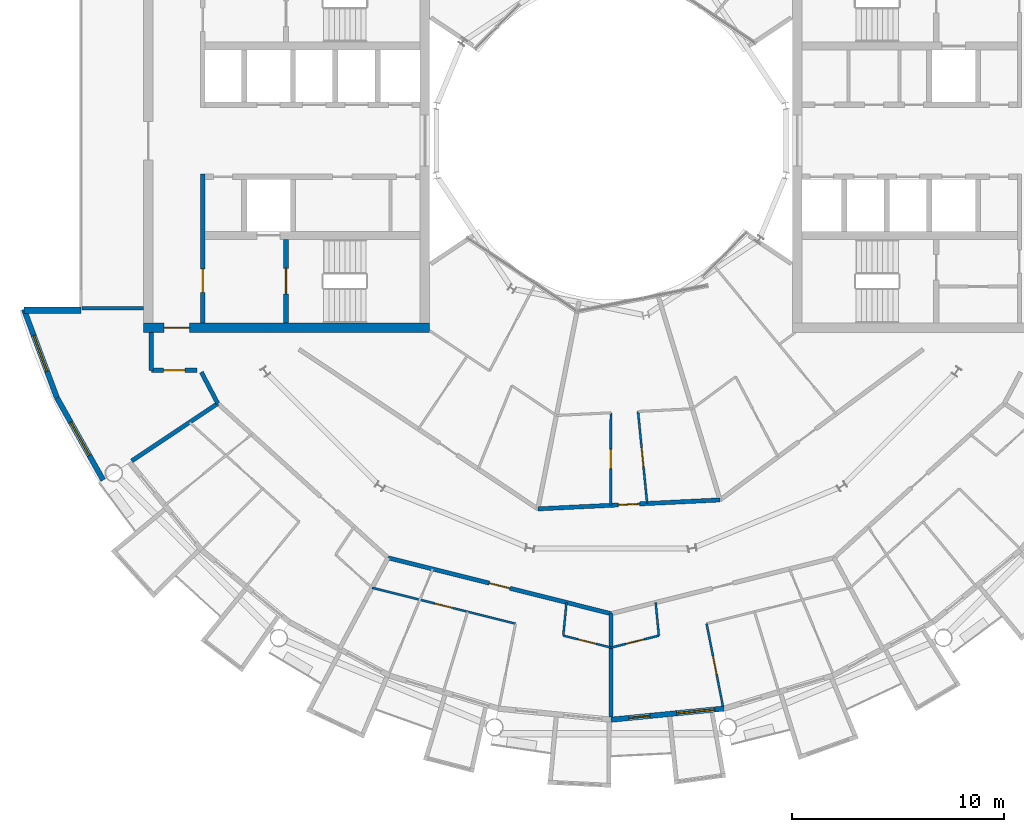
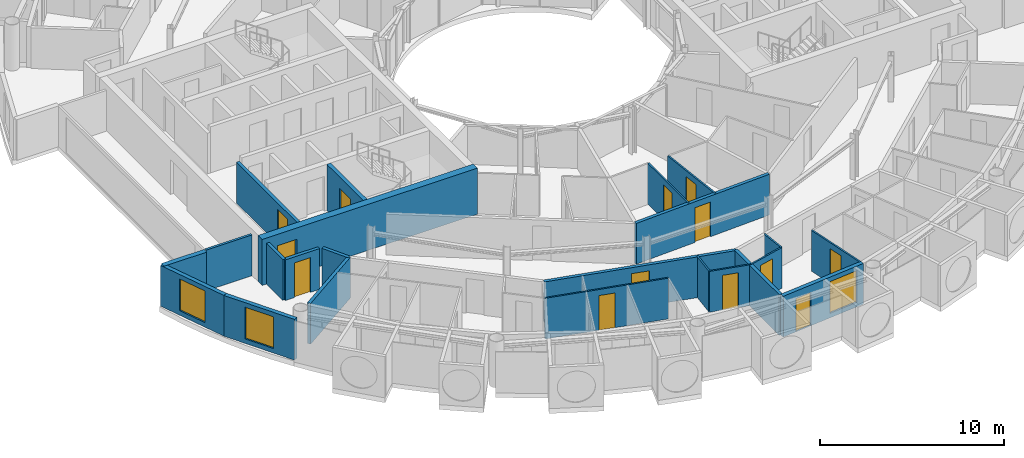
# One storey, part 16 of 29: 23 walls, 13 doors, 3 windows, 16 openings.
"""IFC4 building model written with IfcOpenShell, lengths in metres."""

from ifc_helpers import new_model, si_unit, direction, frame, frame_2d, origin, place, context, subcontext, project, spatial, rectangle, extrude, material, layer, layer_set, type_object, element, fill, save


model = new_model("IFC4")

# Units and contexts
model_context = context("Model", 3, precision=1e-05, world=origin(), true_north=direction((0.0, 1.0)))
body_context = subcontext(model_context, "Body", "Model", "MODEL_VIEW")
ifc_project = project(units=[si_unit("LENGTHUNIT", "METRE"), si_unit("AREAUNIT", "SQUARE_METRE"), si_unit("VOLUMEUNIT", "CUBIC_METRE"), si_unit("PLANEANGLEUNIT", "RADIAN"), si_unit("MASSUNIT", "GRAM", prefix="KILO")], contexts=[model_context])

# Site, building, storey
site_placement = place(None, origin())
site = spatial("IfcSite", under=ifc_project, at=site_placement, CompositionType="ELEMENT")
building_placement = place(site_placement, origin())
building = spatial("IfcBuilding", under=site, at=building_placement, Name="Maasbend Ring Residences", CompositionType="ELEMENT")
storey_placement = place(building_placement, frame((0.0, 0.0, 190.199951171875)))
storey = spatial("IfcBuildingStorey", under=building, at=storey_placement, Name="L54", CompositionType="ELEMENT", Elevation=190.199951171875)

# Wall, opening, door
ifc_material_1 = material(Name="Concrete C50/60", Category="concrete")
ifc_layer_1 = layer(ifc_material_1, 0.25)
ifc_layer_set_1 = layer_set([ifc_layer_1], Name="Concrete C50/60")
wall_type_1 = type_object("IfcWallType", Name="CORE WALL 250 C50/60", PredefinedType="SHEAR", material=ifc_layer_set_1)
wall_1_placement = place(storey_placement, frame((-15.324951171875, -4.64990234375, 0.0), z_axis=(0.0, 0.0, 1.0), x_axis=(0.0, -1.0, 0.0)))
wall_1 = element("IfcWall", 1, at=wall_1_placement, inside=storey, type_object=wall_type_1, Name="L54 core W wall STEN", PredefinedType="SHEAR", context=body_context, shape_type="SweptSolid", body=[
    extrude(rectangle(XDim=3.9501953125, YDim=0.25, at=frame_2d((1.97509765625, 0.0))), origin(), (0.0, 0.0, 1.0), 3.050048828125),
])
opening_1_placement = place(wall_1_placement, frame((1.375, 0.0, 0.0)))
opening_1 = element("IfcOpeningElement", 2, at=opening_1_placement, cuts=wall_1, Name="Opening D-W5410", PredefinedType="OPENING", context=body_context, shape_type="SweptSolid", body=[
    extrude(rectangle(XDim=1.199951171875, YDim=2.300048828125, at=frame_2d((0.60009765625, 1.14990234375))), frame((0.0, 0.135009765625, 0.0), z_axis=(0.0, -1.0, 0.0), x_axis=(1.0, 0.0, 0.0)), (0.0, 0.0, 1.0), 0.27001953125),
])
ifc_material_2 = material(Name="Steel, powder coated", Category="steel")
door_type_1 = type_object("IfcDoorType", Name="STAIR DOOR 1200 X 2300 FD60", OperationType="NOTDEFINED", PredefinedType="DOOR", material=ifc_material_2)
door_1_placement = place(opening_1_placement, origin())
door_1 = element("IfcDoor", 3, at=door_1_placement, inside=storey, type_object=door_type_1, Name="Stair door ST-W L54", OperationType="SINGLE_SWING_LEFT", OverallHeight=2.300048828125, OverallWidth=1.199951171875, PredefinedType="DOOR", context=body_context, shape_type="SweptSolid", body=[
    extrude(rectangle(XDim=1.199951171875, YDim=2.300048828125, at=frame_2d((0.60009765625, 1.14990234375))), frame((0.0, 0.02490234375, 0.0), z_axis=(0.0, -1.0, 0.0), x_axis=(1.0, 0.0, 0.0)), (0.0, 0.0, 1.0), 0.050048828125),
])
fill(opening_1, door_1)

ifc_material_3 = material(Name="Concrete C50/60", Category="concrete")
ifc_layer_2 = layer(ifc_material_3, 0.449951171875)
ifc_layer_set_2 = layer_set([ifc_layer_2], Name="Concrete C50/60")
wall_type_2 = type_object("IfcWallType", Name="CORE WALL 450 C50/60", PredefinedType="SHEAR", material=ifc_layer_set_2)
wall_2_placement = place(storey_placement, frame((-22.050048828125, -8.824951171875, 0.0), z_axis=(0.0, 0.0, 1.0), x_axis=(1.0, 0.0, 0.0)))
wall_2 = element("IfcWall", 4, at=wall_2_placement, inside=storey, type_object=wall_type_2, Name="L54 core W wall PN", PredefinedType="SHEAR", context=body_context, shape_type="SweptSolid", body=[
    extrude(rectangle(XDim=13.5, YDim=0.449951171875, at=frame_2d((6.75, 0.0))), origin(), (0.0, 0.0, 1.0), 3.050048828125),
])
opening_2_placement = place(wall_2_placement, frame((0.97509765625, 0.0, 0.0)))
opening_2 = element("IfcOpeningElement", 5, at=opening_2_placement, cuts=wall_2, Name="Opening D-W5414", PredefinedType="OPENING", context=body_context, shape_type="SweptSolid", body=[
    extrude(rectangle(XDim=1.199951171875, YDim=2.300048828125, at=frame_2d((0.60009765625, 1.14990234375))), frame((0.0, 0.23486328125, 0.0), z_axis=(0.0, -1.0, 0.0), x_axis=(1.0, 0.0, 0.0)), (0.0, 0.0, 1.0), 0.469970703125),
])
ifc_material_4 = material(Name="Steel, powder coated", Category="steel")
door_type_2 = type_object("IfcDoorType", Name="CORRIDOR DOOR 1200 X 2300 FD30S", OperationType="NOTDEFINED", PredefinedType="DOOR", material=ifc_material_4)
door_2_placement = place(opening_2_placement, origin())
door_2 = element("IfcDoor", 6, at=door_2_placement, inside=storey, type_object=door_type_2, Name="Corridor door L54", OperationType="SINGLE_SWING_RIGHT", OverallHeight=2.300048828125, OverallWidth=1.199951171875, PredefinedType="DOOR", context=body_context, shape_type="SweptSolid", body=[
    extrude(rectangle(XDim=1.199951171875, YDim=2.300048828125, at=frame_2d((0.60009765625, 1.14990234375))), frame((0.0, 0.02490234375, 0.0), z_axis=(0.0, -1.0, 0.0), x_axis=(1.0, 0.0, 0.0)), (0.0, 0.0, 1.0), 0.050048828125),
])
fill(opening_2, door_2)

# Wall
ifc_material_5 = material(Name="Concrete C30/37", Category="concrete")
ifc_layer_3 = layer(ifc_material_5, 0.199951171875)
ifc_layer_set_3 = layer_set([ifc_layer_3], Name="Concrete C30/37")
wall_type_3 = type_object("IfcWallType", Name="CORRIDOR WALL 200 CONCRETE", PredefinedType="PARTITIONING", material=ifc_layer_set_3)
wall_3_placement = place(storey_placement, frame((-19.31689453125, -10.9150390625, 0.0), z_axis=(0.0, 0.0, 1.0), x_axis=(0.465359652486, -0.885121683068, 0.0)))
element("IfcWall", 7, at=wall_3_placement, inside=storey, type_object=wall_type_3, Name="U-L54-w009", PredefinedType="PARTITIONING", context=body_context, shape_type="SweptSolid", body=[
    extrude(rectangle(XDim=1.665283203125, YDim=0.199951171875, at=frame_2d((0.83251953125, 0.0))), origin(), (0.0, 0.0, 1.0), 2.699951171875),
])

# Wall, opening, door
wall_4_placement = place(storey_placement, frame((-10.51708984375, -19.6650390625, 0.0), z_axis=(0.0, 0.0, 1.0), x_axis=(0.970023226325, -0.243012222716, 0.0)))
wall_4 = element("IfcWall", 8, at=wall_4_placement, inside=storey, type_object=wall_type_3, Name="U-L54-w014", PredefinedType="PARTITIONING", context=body_context, shape_type="SweptSolid", body=[
    extrude(rectangle(XDim=10.84716796875, YDim=0.199951171875, at=frame_2d((5.423583984375, 0.0))), origin(), (0.0, 0.0, 1.0), 2.699951171875),
])
opening_3_placement = place(wall_4_placement, frame((4.924072265625, 0.0, 0.0)))
opening_3 = element("IfcOpeningElement", 9, at=opening_3_placement, cuts=wall_4, Name="Opening D-5442", PredefinedType="OPENING", context=body_context, shape_type="SweptSolid", body=[
    extrude(rectangle(XDim=1.0, YDim=2.300048828125, at=frame_2d((0.5, 1.14990234375))), frame((0.0, 0.10986328125, 0.0), z_axis=(0.0, -1.0, 0.0), x_axis=(1.0, 0.0, 0.0)), (0.0, 0.0, 1.0), 0.219970703125),
])
ifc_material_6 = material(Name="Timber, fire-rated, painted", Category="wood")
door_type_3 = type_object("IfcDoorType", Name="FLAT ENTRANCE DOOR 1000 X 2300 FIRE-RATED", OperationType="NOTDEFINED", PredefinedType="DOOR", material=ifc_material_6)
door_3_placement = place(opening_3_placement, origin())
door_3 = element("IfcDoor", 10, at=door_3_placement, inside=storey, type_object=door_type_3, Name="D-5442", OperationType="SINGLE_SWING_RIGHT", OverallHeight=2.300048828125, OverallWidth=1.0, PredefinedType="DOOR", context=body_context, shape_type="SweptSolid", body=[
    extrude(rectangle(XDim=1.0, YDim=2.300048828125, at=frame_2d((0.5, 1.14990234375))), frame((0.0, 0.02490234375, 0.0), z_axis=(0.0, -1.0, 0.0), x_axis=(1.0, 0.0, 0.0)), (0.0, 0.0, 1.0), 0.050048828125),
])
fill(opening_3, door_3)

wall_5_placement = place(storey_placement, frame((-3.452880859375, -17.361083984375, 0.0), z_axis=(0.0, 0.0, 1.0), x_axis=(0.998789433108, 0.049190124121, 0.0)))
wall_5 = element("IfcWall", 11, at=wall_5_placement, inside=storey, type_object=wall_type_3, Name="U-L54-w017", PredefinedType="PARTITIONING", context=body_context, shape_type="SweptSolid", body=[
    extrude(rectangle(XDim=8.601318359375, YDim=0.199951171875, at=frame_2d((4.30078125, 0.0))), origin(), (0.0, 0.0, 1.0), 2.699951171875),
])
opening_4_placement = place(wall_5_placement, frame((3.802978515625, 0.0, 0.0)))
opening_4 = element("IfcOpeningElement", 12, at=opening_4_placement, cuts=wall_5, Name="Opening D-5464", PredefinedType="OPENING", context=body_context, shape_type="SweptSolid", body=[
    extrude(rectangle(XDim=1.0, YDim=2.300048828125, at=frame_2d((0.5, 1.14990234375))), frame((0.0, 0.10986328125, 0.0), z_axis=(0.0, -1.0, 0.0), x_axis=(1.0, 0.0, 0.0)), (0.0, 0.0, 1.0), 0.219970703125),
])
door_4_placement = place(opening_4_placement, origin())
door_4 = element("IfcDoor", 13, at=door_4_placement, inside=storey, type_object=door_type_3, Name="D-5464", OperationType="SINGLE_SWING_RIGHT", OverallHeight=2.300048828125, OverallWidth=1.0, PredefinedType="DOOR", context=body_context, shape_type="SweptSolid", body=[
    extrude(rectangle(XDim=1.0, YDim=2.300048828125, at=frame_2d((0.5, 1.14990234375))), frame((0.0, 0.02490234375, 0.0), z_axis=(0.0, -1.0, 0.0), x_axis=(1.0, 0.0, 0.0)), (0.0, 0.0, 1.0), 0.050048828125),
])
fill(opening_4, door_4)

wall_6_placement = place(storey_placement, frame((-21.675048828125, -10.824951171875, 0.0), z_axis=(0.0, 0.0, 1.0), x_axis=(1.0, 0.0, 0.0)))
wall_6 = element("IfcWall", 14, at=wall_6_placement, inside=storey, type_object=wall_type_3, Name="U-L54-w026", PredefinedType="PARTITIONING", context=body_context, shape_type="SweptSolid", body=[
    extrude(rectangle(XDim=2.152099609375, YDim=0.199951171875, at=frame_2d((1.076171875, 0.0))), origin(), (0.0, 0.0, 1.0), 2.699951171875),
])
opening_5_placement = place(wall_6_placement, frame((0.575927734375, 0.0, 0.0)))
opening_5 = element("IfcOpeningElement", 15, at=opening_5_placement, cuts=wall_6, Name="Opening D-5471", PredefinedType="OPENING", context=body_context, shape_type="SweptSolid", body=[
    extrude(rectangle(XDim=1.0, YDim=2.300048828125, at=frame_2d((0.5, 1.14990234375))), frame((0.0, 0.10986328125, 0.0), z_axis=(0.0, -1.0, 0.0), x_axis=(1.0, 0.0, 0.0)), (0.0, 0.0, 1.0), 0.219970703125),
])
ifc_material_7 = material(Name="Timber, painted", Category="wood")
door_type_4 = type_object("IfcDoorType", Name="ROOM DOOR 1000 X 2300", OperationType="NOTDEFINED", PredefinedType="DOOR", material=ifc_material_7)
door_5_placement = place(opening_5_placement, origin())
door_5 = element("IfcDoor", 16, at=door_5_placement, inside=storey, type_object=door_type_4, Name="D-5471", OperationType="SINGLE_SWING_LEFT", OverallHeight=2.300048828125, OverallWidth=1.0, PredefinedType="DOOR", context=body_context, shape_type="SweptSolid", body=[
    extrude(rectangle(XDim=1.0, YDim=2.300048828125, at=frame_2d((0.5, 1.14990234375))), frame((0.0, 0.02490234375, 0.0), z_axis=(0.0, -1.0, 0.0), x_axis=(1.0, 0.0, 0.0)), (0.0, 0.0, 1.0), 0.050048828125),
])
fill(opening_5, door_5)

# Wall
wall_7_placement = place(storey_placement, frame((-21.675048828125, -10.824951171875, 0.0), z_axis=(0.0, 0.0, 1.0), x_axis=(0.0, 1.0, 0.0)))
element("IfcWall", 17, at=wall_7_placement, inside=storey, type_object=wall_type_3, Name="U-L54-w108", PredefinedType="PARTITIONING", context=body_context, shape_type="SweptSolid", body=[
    extrude(rectangle(XDim=1.77490234375, YDim=0.199951171875, at=frame_2d((0.887451171875, 0.0))), origin(), (0.0, 0.0, 1.0), 2.699951171875),
])

# Wall, openings, door, window
ifc_material_8 = material(Name="Aluminium clad insulated panel", Category="aluminium")
ifc_layer_4 = layer(ifc_material_8, 0.25)
ifc_layer_set_4 = layer_set([ifc_layer_4], Name="EW-GL")
wall_type_4 = type_object("IfcWallType", Name="EW-GL", PredefinedType="SOLIDWALL", material=ifc_layer_set_4)
wall_8_placement = place(storey_placement, frame((0.0, -27.300048828125, 0.0), z_axis=(0.0, 0.0, 1.0), x_axis=(0.995173996315, 0.098126026407, 0.0)))
wall_8 = element("IfcWall", 18, at=wall_8_placement, inside=storey, type_object=wall_type_4, Name="External wall S06", PredefinedType="SOLIDWALL", context=body_context, shape_type="SweptSolid", body=[
    extrude(rectangle(XDim=5.351806640625, YDim=0.25, at=frame_2d((2.67578125, 0.0))), origin(), (0.0, 0.0, 1.0), 2.699951171875),
])
opening_6_placement = place(wall_8_placement, frame((0.841064453125, 0.0, 0.0)))
opening_6 = element("IfcOpeningElement", 19, at=opening_6_placement, cuts=wall_8, Name="Opening D-LG", PredefinedType="OPENING", context=body_context, shape_type="SweptSolid", body=[
    extrude(rectangle(XDim=1.0, YDim=2.199951171875, at=frame_2d((0.5, 1.10009765625))), frame((0.0, 0.135009765625, 0.0), z_axis=(0.0, -1.0, 0.0), x_axis=(1.0, 0.0, 0.0)), (0.0, 0.0, 1.0), 0.27001953125),
])
opening_7_placement = place(wall_8_placement, frame((3.110595703125, 0.0, 0.300048828125)))
opening_7 = element("IfcOpeningElement", 20, at=opening_7_placement, cuts=wall_8, Name="Opening W-BX", PredefinedType="OPENING", context=body_context, shape_type="SweptSolid", body=[
    extrude(rectangle(XDim=1.800048828125, YDim=2.10009765625, at=frame_2d((0.89990234375, 1.050048828125))), frame((0.0, 0.135009765625, 0.0), z_axis=(0.0, -1.0, 0.0), x_axis=(1.0, 0.0, 0.0)), (0.0, 0.0, 1.0), 0.27001953125),
])
ifc_material_9 = material(Name="Aluminium and clear glass", Category="aluminium")
door_type_5 = type_object("IfcDoorType", Name="D-LG", OperationType="SINGLE_SWING_LEFT", PredefinedType="DOOR", material=ifc_material_9)
door_6_placement = place(opening_6_placement, origin())
door_6 = element("IfcDoor", 21, at=door_6_placement, inside=storey, type_object=door_type_5, Name="Loggia door S11", OperationType="SINGLE_SWING_LEFT", OverallHeight=2.199951171875, OverallWidth=1.0, PredefinedType="DOOR", context=body_context, shape_type="SweptSolid", body=[
    extrude(rectangle(XDim=1.0, YDim=2.199951171875, at=frame_2d((0.5, 1.10009765625))), frame((0.0, 0.02490234375, 0.0), z_axis=(0.0, -1.0, 0.0), x_axis=(1.0, 0.0, 0.0)), (0.0, 0.0, 1.0), 0.050048828125),
])
fill(opening_6, door_6)
ifc_material_10 = material(Name="Aluminium and clear glass", Category="aluminium")
window_type = type_object("IfcWindowType", Name="W-BX", PartitioningType="DOUBLE_PANEL_VERTICAL", PredefinedType="WINDOW", material=ifc_material_10)
window_1_placement = place(opening_7_placement, origin())
window_1 = element("IfcWindow", 22, at=window_1_placement, inside=storey, type_object=window_type, Name="Window S12 room to box", OverallHeight=2.10009765625, OverallWidth=1.800048828125, PartitioningType="SINGLE_PANEL", PredefinedType="WINDOW", context=body_context, shape_type="SweptSolid", body=[
    extrude(rectangle(XDim=1.800048828125, YDim=2.10009765625, at=frame_2d((0.89990234375, 1.050048828125))), frame((0.0, 0.030029296875, 0.0), z_axis=(0.0, -1.0, 0.0), x_axis=(1.0, 0.0, 0.0)), (0.0, 0.0, 1.0), 0.06005859375),
])
fill(opening_7, window_1)

# Wall, opening, window
ifc_material_11 = material(Name="Aluminium clad insulated panel", Category="aluminium")
ifc_layer_5 = layer(ifc_material_11, 0.25)
ifc_layer_set_5 = layer_set([ifc_layer_5], Name="EW-HORN")
wall_type_5 = type_object("IfcWallType", Name="EW-HORN", PredefinedType="SOLIDWALL", material=ifc_layer_set_5)
wall_9_placement = place(storey_placement, frame((-27.681884765625, -7.945068359375, 0.0), z_axis=(0.0, 0.0, 1.0), x_axis=(0.349247811493, -0.937030397675, 0.0)))
wall_9 = element("IfcWall", 23, at=wall_9_placement, inside=storey, type_object=wall_type_5, Name="Horn wall 3.1", PredefinedType="SOLIDWALL", context=body_context, shape_type="SweptSolid", body=[
    extrude(rectangle(XDim=4.4521484375, YDim=0.25, at=frame_2d((2.22607421875, 0.0))), origin(), (0.0, 0.0, 1.0), 2.699951171875),
])
opening_8_placement = place(wall_9_placement, frame((1.32666015625, 0.0, 0.300048828125)))
opening_8 = element("IfcOpeningElement", 24, at=opening_8_placement, cuts=wall_9, Name="Opening W-BX", PredefinedType="OPENING", context=body_context, shape_type="SweptSolid", body=[
    extrude(rectangle(XDim=1.800048828125, YDim=2.10009765625, at=frame_2d((0.89990234375, 1.050048828125))), frame((0.0, 0.135009765625, 0.0), z_axis=(0.0, -1.0, 0.0), x_axis=(1.0, 0.0, 0.0)), (0.0, 0.0, 1.0), 0.27001953125),
])
window_2_placement = place(opening_8_placement, origin())
window_2 = element("IfcWindow", 25, at=window_2_placement, inside=storey, type_object=window_type, Name="Horn window 3.1", OverallHeight=2.10009765625, OverallWidth=1.800048828125, PartitioningType="SINGLE_PANEL", PredefinedType="WINDOW", context=body_context, shape_type="SweptSolid", body=[
    extrude(rectangle(XDim=1.800048828125, YDim=2.10009765625, at=frame_2d((0.89990234375, 1.050048828125))), frame((0.0, 0.030029296875, 0.0), z_axis=(0.0, -1.0, 0.0), x_axis=(1.0, 0.0, 0.0)), (0.0, 0.0, 1.0), 0.06005859375),
])
fill(opening_8, window_2)

wall_10_placement = place(storey_placement, frame((-26.126953125, -12.116943359375, 0.0), z_axis=(0.0, 0.0, 1.0), x_axis=(0.489696356642, -0.871893042919, 0.0)))
wall_10 = element("IfcWall", 26, at=wall_10_placement, inside=storey, type_object=wall_type_5, Name="Horn wall 3.2", PredefinedType="SOLIDWALL", context=body_context, shape_type="SweptSolid", body=[
    extrude(rectangle(XDim=4.45361328125, YDim=0.25, at=frame_2d((2.226806640625, 0.0))), origin(), (0.0, 0.0, 1.0), 2.699951171875),
])
opening_9_placement = place(wall_10_placement, frame((1.32666015625, 0.0, 0.300048828125)))
opening_9 = element("IfcOpeningElement", 27, at=opening_9_placement, cuts=wall_10, Name="Opening W-BX", PredefinedType="OPENING", context=body_context, shape_type="SweptSolid", body=[
    extrude(rectangle(XDim=1.800048828125, YDim=2.10009765625, at=frame_2d((0.89990234375, 1.050048828125))), frame((0.0, 0.135009765625, 0.0), z_axis=(0.0, -1.0, 0.0), x_axis=(1.0, 0.0, 0.0)), (0.0, 0.0, 1.0), 0.27001953125),
])
window_3_placement = place(opening_9_placement, origin())
window_3 = element("IfcWindow", 28, at=window_3_placement, inside=storey, type_object=window_type, Name="Horn window 3.2", OverallHeight=2.10009765625, OverallWidth=1.800048828125, PartitioningType="SINGLE_PANEL", PredefinedType="WINDOW", context=body_context, shape_type="SweptSolid", body=[
    extrude(rectangle(XDim=1.800048828125, YDim=2.10009765625, at=frame_2d((0.89990234375, 1.050048828125))), frame((0.0, 0.030029296875, 0.0), z_axis=(0.0, -1.0, 0.0), x_axis=(1.0, 0.0, 0.0)), (0.0, 0.0, 1.0), 0.06005859375),
])
fill(opening_9, window_3)

# Wall
ifc_material_12 = material(Name="Aluminium clad insulated panel", Category="aluminium")
ifc_layer_6 = layer(ifc_material_12, 0.300048828125)
ifc_layer_set_6 = layer_set([ifc_layer_6], Name="EW-RET")
wall_type_6 = type_object("IfcWallType", Name="EW-RET", PredefinedType="SOLIDWALL", material=ifc_layer_set_6)
wall_11_placement = place(storey_placement, frame((-25.0, -8.0, 0.0), z_axis=(0.0, 0.0, 1.0), x_axis=(-1.0, 0.0, 0.0)))
element("IfcWall", 29, at=wall_11_placement, inside=storey, type_object=wall_type_6, Name="Notch return wall west south", PredefinedType="SOLIDWALL", context=body_context, shape_type="SweptSolid", body=[
    extrude(rectangle(XDim=2.6669921875, YDim=0.300048828125, at=frame_2d((1.33349609375, 0.0))), origin(), (0.0, 0.0, 1.0), 2.699951171875),
])

# Wall, opening, door
ifc_material_13 = material(Name="Gypsum board on steel studs", Category="steel")
ifc_layer_7 = layer(ifc_material_13, 0.10009765625)
ifc_layer_set_7 = layer_set([ifc_layer_7], Name="PARTITION 100 GYPSUM")
wall_type_7 = type_object("IfcWallType", Name="PARTITION 100 GYPSUM", PredefinedType="PARTITIONING", material=ifc_layer_set_7)
wall_12_placement = place(storey_placement, frame((-11.26611328125, -21.080078125, 0.0), z_axis=(0.0, 0.0, 1.0), x_axis=(0.970080680347, -0.24278277043, 0.0)))
wall_12 = element("IfcWall", 30, at=wall_12_placement, inside=storey, type_object=wall_type_7, Name="U-L54-w003", PredefinedType="PARTITIONING", context=body_context, shape_type="SweptSolid", body=[
    extrude(rectangle(XDim=6.972900390625, YDim=0.10009765625, at=frame_2d((3.486328125, 0.0))), origin(), (0.0, 0.0, 1.0), 2.699951171875),
])
opening_10_placement = place(wall_12_placement, frame((3.035888671875, 0.0, 0.0)))
opening_10 = element("IfcOpeningElement", 31, at=opening_10_placement, cuts=wall_12, Name="Opening D-5446", PredefinedType="OPENING", context=body_context, shape_type="SweptSolid", body=[
    extrude(rectangle(XDim=0.89990234375, YDim=2.300048828125, at=frame_2d((0.449951171875, 1.14990234375))), frame((0.0, 0.06005859375, 0.0), z_axis=(0.0, -1.0, 0.0), x_axis=(1.0, 0.0, 0.0)), (0.0, 0.0, 1.0), 0.1201171875),
])
ifc_material_14 = material(Name="Timber, painted", Category="wood")
door_type_6 = type_object("IfcDoorType", Name="INTERNAL DOOR 900 X 2300", OperationType="NOTDEFINED", PredefinedType="DOOR", material=ifc_material_14)
door_7_placement = place(opening_10_placement, origin())
door_7 = element("IfcDoor", 32, at=door_7_placement, inside=storey, type_object=door_type_6, Name="D-5446", OperationType="SINGLE_SWING_LEFT", OverallHeight=2.300048828125, OverallWidth=0.89990234375, PredefinedType="DOOR", context=body_context, shape_type="SweptSolid", body=[
    extrude(rectangle(XDim=0.89990234375, YDim=2.300048828125, at=frame_2d((0.449951171875, 1.14990234375))), frame((0.0, 0.02490234375, 0.0), z_axis=(0.0, -1.0, 0.0), x_axis=(1.0, 0.0, 0.0)), (0.0, 0.0, 1.0), 0.050048828125),
])
fill(opening_10, door_7)

wall_13_placement = place(storey_placement, frame((-2.2529296875, -23.3359375, 0.0), z_axis=(0.0, 0.0, 1.0), x_axis=(0.970068250789, -0.242832429489, 0.0)))
wall_13 = element("IfcWall", 33, at=wall_13_placement, inside=storey, type_object=wall_type_7, Name="U-L54-w004", PredefinedType="PARTITIONING", context=body_context, shape_type="SweptSolid", body=[
    extrude(rectangle(XDim=2.322509765625, YDim=0.10009765625, at=frame_2d((1.1611328125, 0.0))), origin(), (0.0, 0.0, 1.0), 2.699951171875),
])
opening_11_placement = place(wall_13_placement, frame((0.7109375, 0.0, 0.0)))
opening_11 = element("IfcOpeningElement", 34, at=opening_11_placement, cuts=wall_13, Name="Opening D-5443", PredefinedType="OPENING", context=body_context, shape_type="SweptSolid", body=[
    extrude(rectangle(XDim=0.89990234375, YDim=2.300048828125, at=frame_2d((0.449951171875, 1.14990234375))), frame((0.0, 0.06005859375, 0.0), z_axis=(0.0, -1.0, 0.0), x_axis=(1.0, 0.0, 0.0)), (0.0, 0.0, 1.0), 0.1201171875),
])
door_8_placement = place(opening_11_placement, origin())
door_8 = element("IfcDoor", 35, at=door_8_placement, inside=storey, type_object=door_type_6, Name="D-5443", OperationType="SINGLE_SWING_RIGHT", OverallHeight=2.300048828125, OverallWidth=0.89990234375, PredefinedType="DOOR", context=body_context, shape_type="SweptSolid", body=[
    extrude(rectangle(XDim=0.89990234375, YDim=2.300048828125, at=frame_2d((0.449951171875, 1.14990234375))), frame((0.0, 0.02490234375, 0.0), z_axis=(0.0, -1.0, 0.0), x_axis=(1.0, 0.0, 0.0)), (0.0, 0.0, 1.0), 0.050048828125),
])
fill(opening_11, door_8)

wall_14_placement = place(storey_placement, frame((0.0, -23.89990234375, 0.0), z_axis=(0.0, 0.0, 1.0), x_axis=(0.970068250789, 0.242832429489, 0.0)))
wall_14 = element("IfcWall", 36, at=wall_14_placement, inside=storey, type_object=wall_type_7, Name="U-L54-w005", PredefinedType="PARTITIONING", context=body_context, shape_type="SweptSolid", body=[
    extrude(rectangle(XDim=2.322509765625, YDim=0.10009765625, at=frame_2d((1.1611328125, 0.0))), origin(), (0.0, 0.0, 1.0), 2.699951171875),
])
opening_12_placement = place(wall_14_placement, frame((0.7109375, 0.0, 0.0)))
opening_12 = element("IfcOpeningElement", 37, at=opening_12_placement, cuts=wall_14, Name="Opening D-5449", PredefinedType="OPENING", context=body_context, shape_type="SweptSolid", body=[
    extrude(rectangle(XDim=0.89990234375, YDim=2.300048828125, at=frame_2d((0.449951171875, 1.14990234375))), frame((0.0, 0.06005859375, 0.0), z_axis=(0.0, -1.0, 0.0), x_axis=(1.0, 0.0, 0.0)), (0.0, 0.0, 1.0), 0.1201171875),
])
door_9_placement = place(opening_12_placement, origin())
door_9 = element("IfcDoor", 38, at=door_9_placement, inside=storey, type_object=door_type_6, Name="D-5449", OperationType="SINGLE_SWING_LEFT", OverallHeight=2.300048828125, OverallWidth=0.89990234375, PredefinedType="DOOR", context=body_context, shape_type="SweptSolid", body=[
    extrude(rectangle(XDim=0.89990234375, YDim=2.300048828125, at=frame_2d((0.449951171875, 1.14990234375))), frame((0.0, 0.02490234375, 0.0), z_axis=(0.0, -1.0, 0.0), x_axis=(1.0, 0.0, 0.0)), (0.0, 0.0, 1.0), 0.050048828125),
])
fill(opening_12, door_9)

# Wall
wall_15_placement = place(storey_placement, frame((-2.2529296875, -23.3359375, 0.0), z_axis=(0.0, 0.0, 1.0), x_axis=(0.09608568494, 0.995373066317, 0.0)))
element("IfcWall", 39, at=wall_15_placement, inside=storey, type_object=wall_type_7, Name="U-L54-w058", PredefinedType="PARTITIONING", context=body_context, shape_type="SweptSolid", body=[
    extrude(rectangle(XDim=1.5703125, YDim=0.10009765625, at=frame_2d((0.78515625, 0.0))), origin(), (0.0, 0.0, 1.0), 2.699951171875),
])

# Wall, opening, door
wall_16_placement = place(storey_placement, frame((-0.01708984375, -17.19091796875, 0.0), z_axis=(0.0, 0.0, 1.0), x_axis=(0.001175416181, 0.999999309198, 0.0)))
wall_16 = element("IfcWall", 40, at=wall_16_placement, inside=storey, type_object=wall_type_7, Name="U-L54-w060", PredefinedType="PARTITIONING", context=body_context, shape_type="SweptSolid", body=[
    extrude(rectangle(XDim=4.36181640625, YDim=0.10009765625, at=frame_2d((2.180908203125, 0.0))), origin(), (0.0, 0.0, 1.0), 2.699951171875),
])
opening_13_placement = place(wall_16_placement, frame((1.73095703125, 0.0, 0.0)))
opening_13 = element("IfcOpeningElement", 41, at=opening_13_placement, cuts=wall_16, Name="Opening D-5466", PredefinedType="OPENING", context=body_context, shape_type="SweptSolid", body=[
    extrude(rectangle(XDim=0.89990234375, YDim=2.300048828125, at=frame_2d((0.449951171875, 1.14990234375))), frame((0.0, 0.06005859375, 0.0), z_axis=(0.0, -1.0, 0.0), x_axis=(1.0, 0.0, 0.0)), (0.0, 0.0, 1.0), 0.1201171875),
])
door_10_placement = place(opening_13_placement, origin())
door_10 = element("IfcDoor", 42, at=door_10_placement, inside=storey, type_object=door_type_6, Name="D-5466", OperationType="SINGLE_SWING_LEFT", OverallHeight=2.300048828125, OverallWidth=0.89990234375, PredefinedType="DOOR", context=body_context, shape_type="SweptSolid", body=[
    extrude(rectangle(XDim=0.89990234375, YDim=2.300048828125, at=frame_2d((0.449951171875, 1.14990234375))), frame((0.0, 0.02490234375, 0.0), z_axis=(0.0, -1.0, 0.0), x_axis=(1.0, 0.0, 0.0)), (0.0, 0.0, 1.0), 0.050048828125),
])
fill(opening_13, door_10)

wall_17_placement = place(storey_placement, frame((1.27001953125, -12.76611328125, 0.0), z_axis=(0.0, 0.0, 1.0), x_axis=(0.099004993851, -0.9950869365, 0.0)))
wall_17 = element("IfcWall", 43, at=wall_17_placement, inside=storey, type_object=wall_type_7, Name="U-L54-w064", PredefinedType="PARTITIONING", context=body_context, shape_type="SweptSolid", body=[
    extrude(rectangle(XDim=4.3623046875, YDim=0.10009765625, at=frame_2d((2.18115234375, 0.0))), origin(), (0.0, 0.0, 1.0), 2.699951171875),
])
opening_14_placement = place(wall_17_placement, frame((1.73095703125, 0.0, 0.0)))
opening_14 = element("IfcOpeningElement", 44, at=opening_14_placement, cuts=wall_17, Name="Opening D-5465", PredefinedType="OPENING", context=body_context, shape_type="SweptSolid", body=[
    extrude(rectangle(XDim=0.89990234375, YDim=2.300048828125, at=frame_2d((0.449951171875, 1.14990234375))), frame((0.0, 0.06005859375, 0.0), z_axis=(0.0, -1.0, 0.0), x_axis=(1.0, 0.0, 0.0)), (0.0, 0.0, 1.0), 0.1201171875),
])
door_11_placement = place(opening_14_placement, origin())
door_11 = element("IfcDoor", 45, at=door_11_placement, inside=storey, type_object=door_type_6, Name="D-5465", OperationType="SINGLE_SWING_LEFT", OverallHeight=2.300048828125, OverallWidth=0.89990234375, PredefinedType="DOOR", context=body_context, shape_type="SweptSolid", body=[
    extrude(rectangle(XDim=0.89990234375, YDim=2.300048828125, at=frame_2d((0.449951171875, 1.14990234375))), frame((0.0, 0.02490234375, 0.0), z_axis=(0.0, -1.0, 0.0), x_axis=(1.0, 0.0, 0.0)), (0.0, 0.0, 1.0), 0.050048828125),
])
fill(opening_14, door_11)

# Wall
wall_18_placement = place(storey_placement, frame((2.10205078125, -21.77294921875, 0.0), z_axis=(0.0, 0.0, 1.0), x_axis=(0.09608568494, -0.995373066317, 0.0)))
element("IfcWall", 46, at=wall_18_placement, inside=storey, type_object=wall_type_7, Name="U-L54-w066", PredefinedType="PARTITIONING", context=body_context, shape_type="SweptSolid", body=[
    extrude(rectangle(XDim=1.5703125, YDim=0.10009765625, at=frame_2d((0.78515625, 0.0))), origin(), (0.0, 0.0, 1.0), 2.699951171875),
])

# Wall, opening, door
wall_19_placement = place(storey_placement, frame((4.5029296875, -22.77197265625, 0.0), z_axis=(0.0, 0.0, 1.0), x_axis=(0.194089507313, -0.980983824103, 0.0)))
wall_19 = element("IfcWall", 47, at=wall_19_placement, inside=storey, type_object=wall_type_7, Name="U-L54-w070", PredefinedType="PARTITIONING", context=body_context, shape_type="SweptSolid", body=[
    extrude(rectangle(XDim=3.96240234375, YDim=0.10009765625, at=frame_2d((1.981201171875, 0.0))), origin(), (0.0, 0.0, 1.0), 2.699951171875),
])
opening_15_placement = place(wall_19_placement, frame((1.531005859375, 0.0, 0.0)))
opening_15 = element("IfcOpeningElement", 48, at=opening_15_placement, cuts=wall_19, Name="Opening D-5451", PredefinedType="OPENING", context=body_context, shape_type="SweptSolid", body=[
    extrude(rectangle(XDim=0.89990234375, YDim=2.300048828125, at=frame_2d((0.449951171875, 1.14990234375))), frame((0.0, 0.06005859375, 0.0), z_axis=(0.0, -1.0, 0.0), x_axis=(1.0, 0.0, 0.0)), (0.0, 0.0, 1.0), 0.1201171875),
])
door_12_placement = place(opening_15_placement, origin())
door_12 = element("IfcDoor", 49, at=door_12_placement, inside=storey, type_object=door_type_6, Name="D-5451", OperationType="SINGLE_SWING_LEFT", OverallHeight=2.300048828125, OverallWidth=0.89990234375, PredefinedType="DOOR", context=body_context, shape_type="SweptSolid", body=[
    extrude(rectangle(XDim=0.89990234375, YDim=2.300048828125, at=frame_2d((0.449951171875, 1.14990234375))), frame((0.0, 0.02490234375, 0.0), z_axis=(0.0, -1.0, 0.0), x_axis=(1.0, 0.0, 0.0)), (0.0, 0.0, 1.0), 0.050048828125),
])
fill(opening_15, door_12)

# Walls
ifc_material_15 = material(Name="Gypsum board on steel studs", Category="steel")
ifc_layer_8 = layer(ifc_material_15, 0.14990234375)
ifc_layer_set_8 = layer_set([ifc_layer_8], Name="PARTITION 150 EI 60")
wall_type_8 = type_object("IfcWallType", Name="PARTITION 150 EI 60", PredefinedType="PARTITIONING", material=ifc_layer_set_8)
wall_20_placement = place(storey_placement, frame((-22.050048828125, -7.89990234375, 0.0), z_axis=(0.0, 0.0, 1.0), x_axis=(-1.0, 0.0, 0.0)))
element("IfcWall", 50, at=wall_20_placement, inside=storey, type_object=wall_type_8, Name="L54 core W wall CITN", PredefinedType="PARTITIONING", context=body_context, shape_type="SweptSolid", body=[
    extrude(rectangle(XDim=2.889892578125, YDim=0.14990234375, at=frame_2d((1.44482421875, 0.0))), origin(), (0.0, 0.0, 1.0), 2.699951171875),
])
ifc_material_16 = material(Name="Concrete C30/37", Category="concrete")
ifc_layer_9 = layer(ifc_material_16, 0.199951171875)
ifc_layer_set_9 = layer_set([ifc_layer_9], Name="Concrete C30/37")
wall_type_9 = type_object("IfcWallType", Name="PARTY WALL 200 CONCRETE", PredefinedType="PARTITIONING", material=ifc_layer_set_9)
for number, where, z_axis, x_axis, name in (
    (51, (-22.594970703125, -15.097900390625, 0.0), (0.0, 0.0, 1.0), (0.831387096605, 0.55569370664, 0.0), "U-L54-w032"),
    (52, (0.0, -27.175048828125, 0.0), (0.0, 0.0, 1.0), (0.0, 1.0, 0.0), "U-L54-w062"),
):
    element("IfcWall", number, at=place(storey_placement, frame(where, z_axis=z_axis, x_axis=x_axis)), inside=storey, type_object=wall_type_9, Name=name, PredefinedType="PARTITIONING", context=body_context, shape_type="SweptSolid", body=[
        extrude(rectangle(XDim=4.875, YDim=0.199951171875, at=frame_2d((2.4375, 0.0))), origin(), (0.0, 0.0, 1.0), 2.699951171875),
    ])

# Wall, opening, door
ifc_material_17 = material(Name="Concrete C30/37", Category="concrete")
ifc_layer_10 = layer(ifc_material_17, 0.199951171875)
ifc_layer_set_10 = layer_set([ifc_layer_10], Name="Concrete C30/37")
wall_type_10 = type_object("IfcWallType", Name="SHAFT WALL 200 EI 120", PredefinedType="SOLIDWALL", material=ifc_layer_set_10)
wall_21_placement = place(storey_placement, frame((-19.25, -1.574951171875, 0.0), z_axis=(0.0, 0.0, 1.0), x_axis=(0.0, -1.0, 0.0)))
wall_21 = element("IfcWall", 53, at=wall_21_placement, inside=storey, type_object=wall_type_10, Name="L54 core W wall ENDN", PredefinedType="SOLIDWALL", context=body_context, shape_type="SweptSolid", body=[
    extrude(rectangle(XDim=7.025146484375, YDim=0.199951171875, at=frame_2d((3.5126953125, 0.0))), origin(), (0.0, 0.0, 1.0), 2.699951171875),
])
opening_16_placement = place(wall_21_placement, frame((4.47509765625, 0.0, 0.0)))
opening_16 = element("IfcOpeningElement", 54, at=opening_16_placement, cuts=wall_21, Name="Opening D-W5412", PredefinedType="OPENING", context=body_context, shape_type="SweptSolid", body=[
    extrude(rectangle(XDim=1.10009765625, YDim=2.300048828125, at=frame_2d((0.550048828125, 1.14990234375))), frame((0.0, 0.10986328125, 0.0), z_axis=(0.0, -1.0, 0.0), x_axis=(1.0, 0.0, 0.0)), (0.0, 0.0, 1.0), 0.219970703125),
])
ifc_material_18 = material(Name="Steel, powder coated", Category="steel")
door_type_7 = type_object("IfcDoorType", Name="LOBBY DOOR 1100 X 2300 FD60", OperationType="NOTDEFINED", PredefinedType="DOOR", material=ifc_material_18)
door_13_placement = place(opening_16_placement, origin())
door_13 = element("IfcDoor", 55, at=door_13_placement, inside=storey, type_object=door_type_7, Name="Lobby door L54", OperationType="SINGLE_SWING_LEFT", OverallHeight=2.300048828125, OverallWidth=1.10009765625, PredefinedType="DOOR", context=body_context, shape_type="SweptSolid", body=[
    extrude(rectangle(XDim=1.10009765625, YDim=2.300048828125, at=frame_2d((0.550048828125, 1.14990234375))), frame((0.0, 0.02490234375, 0.0), z_axis=(0.0, -1.0, 0.0), x_axis=(1.0, 0.0, 0.0)), (0.0, 0.0, 1.0), 0.050048828125),
])
fill(opening_16, door_13)

save(model, "model.ifc")
